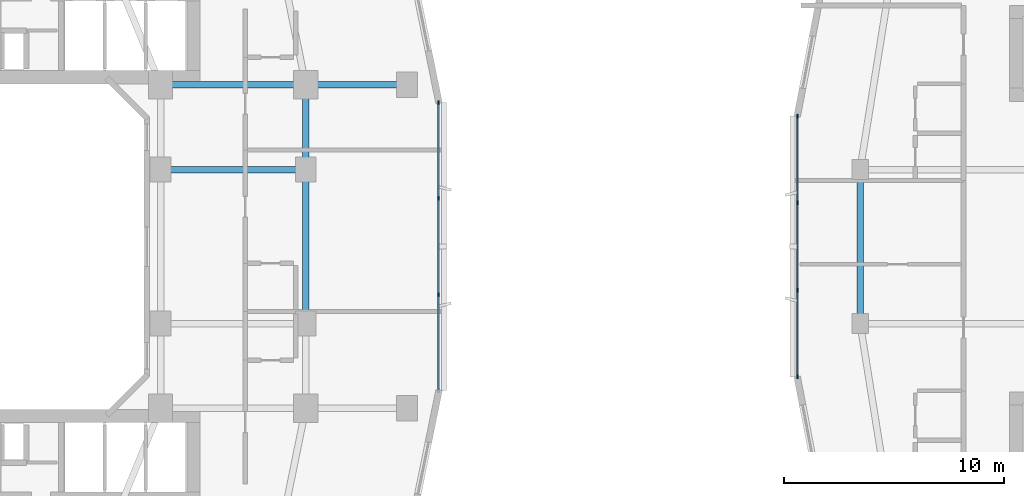
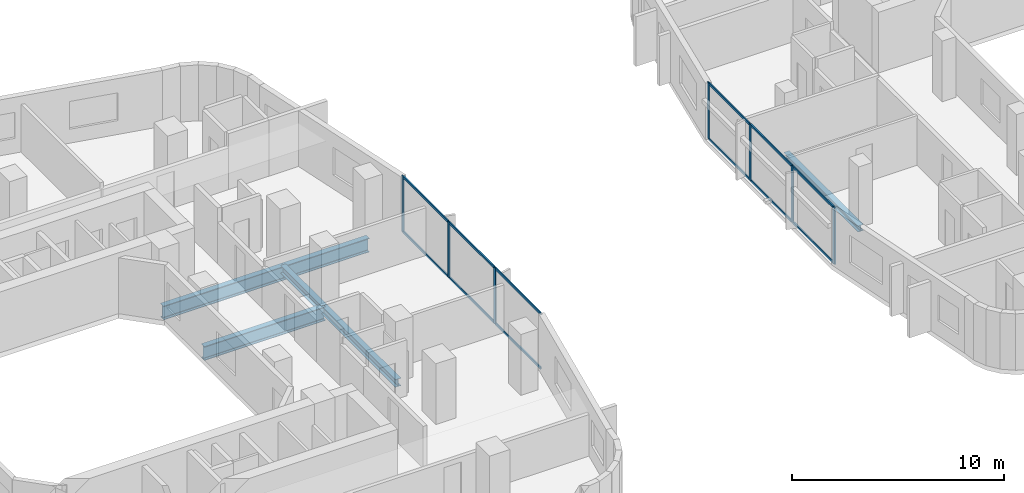
# One storey, part 5 of 26: 19 members, 6 beams, 2 elements without a shape of their own.
"""IFC4 building model written with IfcOpenShell, lengths in metres."""

from ifc_helpers import new_model, si_unit, derived_unit, direction, frame, origin, origin_2d, place, context, subcontext, project, spatial, rectangle, i_section, extrude, material, layer, layer_set, material_profile, profile_set, type_object, element, aggregate, save


model = new_model("IFC4")

# Units and contexts
model_context = context("Model", 3, precision=1e-05, world=origin(), true_north=direction((0.0, 1.0)))
body_context = subcontext(model_context, "Body", "Model", "MODEL_VIEW")
ifc_project = project(units=[si_unit("LENGTHUNIT", "METRE"), si_unit("AREAUNIT", "SQUARE_METRE"), si_unit("VOLUMEUNIT", "CUBIC_METRE"), si_unit("PLANEANGLEUNIT", "RADIAN"), si_unit("MASSUNIT", "GRAM", prefix="KILO"), derived_unit("THERMALTRANSMITTANCEUNIT", [(si_unit("POWERUNIT", "WATT"), 1), (si_unit("LENGTHUNIT", "METRE"), -2), (si_unit("THERMODYNAMICTEMPERATUREUNIT", "KELVIN"), -1)])], contexts=[model_context])

# Site, building, storey
site_placement = place(None, origin())
site = spatial("IfcSite", under=ifc_project, at=site_placement, CompositionType="ELEMENT")
building_placement = place(site_placement, origin())
building = spatial("IfcBuilding", under=site, at=building_placement, Name="Kivonza Crest Hotel", CompositionType="ELEMENT")
storey_placement = place(building_placement, frame((0.0, 0.0, 52.0)))
storey = spatial("IfcBuildingStorey", under=building, at=storey_placement, Name="L13", CompositionType="ELEMENT", Elevation=52.0)

# Beams
ifc_material_1 = material(Name="Steel S355", Category="steel")
ifc_material_profile_1 = material_profile(ifc_material_1, i_section(OverallWidth=0.300048828125, OverallDepth=0.360107421875, WebThickness=0.012451171875, FlangeThickness=0.0224609375, FilletRadius=0.027099609375, at=origin_2d()), Name="HEB 360")
ifc_profile_set_1 = profile_set([ifc_material_profile_1], Name="Steel S355")
beam_type_1 = type_object("IfcBeamType", Name="BM-HEB360", PredefinedType="SPANDREL", material=ifc_profile_set_1)
beam_1_placement = place(storey_placement, frame((61.0, 28.5, -0.429931640625), z_axis=(0.0, -1.0, 0.0), x_axis=(1.0, 0.0, 0.0)))
element("IfcBeam", 1, at=beam_1_placement, inside=storey, type_object=beam_type_1, Name="Companion Tower T2 L13 perimeter spandrel W2-W1", PredefinedType="SPANDREL", context=body_context, shape_type="SweptSolid", body=[
    extrude(i_section(OverallWidth=0.300048828125, OverallDepth=0.360107421875, WebThickness=0.012451171875, FlangeThickness=0.0224609375, FilletRadius=0.027099609375, at=origin_2d()), origin(), (0.0, 0.0, 1.0), 7.0),
])
ifc_material_profile_2 = material_profile(ifc_material_1, i_section(OverallWidth=0.300048828125, OverallDepth=0.449951171875, WebThickness=0.013916015625, FlangeThickness=0.02587890625, FilletRadius=0.027099609375, at=origin_2d()), Name="HEB 450")
ifc_profile_set_2 = profile_set([ifc_material_profile_2], Name="Steel S355")
beam_type_2 = type_object("IfcBeamType", Name="BM-HEB450", PredefinedType="SPANDREL", material=ifc_profile_set_2)
beam_2_placement = place(storey_placement, frame((35.800048828125, 21.5, -0.5048828125), z_axis=(0.0, 1.0, 0.0), x_axis=(-1.0, 0.0, 0.0)))
element("IfcBeam", 2, at=beam_2_placement, inside=storey, type_object=beam_type_2, Name="Tower T1 L13 perimeter spandrel E1-E2", PredefinedType="SPANDREL", context=body_context, shape_type="SweptSolid", body=[
    extrude(i_section(OverallWidth=0.300048828125, OverallDepth=0.449951171875, WebThickness=0.013916015625, FlangeThickness=0.02587890625, FilletRadius=0.027099609375, at=origin_2d()), origin(), (0.0, 0.0, 1.0), 7.0),
])
beam_3_placement = place(storey_placement, frame((35.800048828125, 28.5, -0.5048828125), z_axis=(0.0, 1.0, 0.0), x_axis=(-1.0, 0.0, 0.0)))
element("IfcBeam", 3, at=beam_3_placement, inside=storey, type_object=beam_type_2, Name="Tower T1 L13 perimeter spandrel E2-PNE", PredefinedType="SPANDREL", context=body_context, shape_type="SweptSolid", body=[
    extrude(i_section(OverallWidth=0.300048828125, OverallDepth=0.449951171875, WebThickness=0.013916015625, FlangeThickness=0.02587890625, FilletRadius=0.027099609375, at=origin_2d()), origin(), (0.0, 0.0, 1.0), 3.85009765625),
])
ifc_material_profile_3 = material_profile(ifc_material_1, i_section(OverallWidth=0.300048828125, OverallDepth=0.800048828125, WebThickness=0.017578125, FlangeThickness=0.032958984375, FilletRadius=0.030029296875, at=origin_2d()), Name="HEB 800")
ifc_profile_set_3 = profile_set([ifc_material_profile_3], Name="Steel S355")
beam_type_3 = type_object("IfcBeamType", Name="BM-HEB800", PredefinedType="BEAM", material=ifc_profile_set_3)
for number, where, z_axis, x_axis, name in (
    (4, (29.199951171875, 32.35009765625, -0.679931640625), (1.0, 0.0, 0.0), (0.0, 1.0, 0.0), "Tower T1 L13 primary girder TNE-PNE"),
    (5, (29.199951171875, 28.5, -0.679931640625), (1.0, 0.0, 0.0), (0.0, 1.0, 0.0), "Tower T1 L13 primary girder WR2-E2"),
):
    element("IfcBeam", number, at=place(storey_placement, frame(where, z_axis=z_axis, x_axis=x_axis)), inside=storey, type_object=beam_type_3, Name=name, PredefinedType="BEAM", context=body_context, shape_type="SweptSolid", body=[
        extrude(i_section(OverallWidth=0.300048828125, OverallDepth=0.800048828125, WebThickness=0.017578125, FlangeThickness=0.032958984375, FilletRadius=0.030029296875, at=origin_2d()), origin(), (0.0, 0.0, 1.0), 6.60009765625),
    ])
beam_4_placement = place(storey_placement, frame((40.39990234375, 32.35009765625, -0.679931640625), z_axis=(-1.0, 0.0, 0.0), x_axis=(0.0, -1.0, 0.0)))
element("IfcBeam", 6, at=beam_4_placement, inside=storey, type_object=beam_type_3, Name="Tower T1 L13 outer bay girder ZE2", PredefinedType="BEAM", context=body_context, shape_type="SweptSolid", body=[
    extrude(i_section(OverallWidth=0.300048828125, OverallDepth=0.800048828125, WebThickness=0.017578125, FlangeThickness=0.032958984375, FilletRadius=0.030029296875, at=origin_2d()), origin(), (0.0, 0.0, 1.0), 4.599853515625),
])

# Curtain wall, members
ifc_material_2 = material(Name="Anodised bronze aluminium and low-E double glazing", Category="aluminium")
ifc_layer_1 = layer(ifc_material_2, 0.179931640625)
ifc_layer_set_1 = layer_set([ifc_layer_1], Name="Anodised bronze aluminium and low-E double glazing")
curtain_wall_type_1 = type_object("IfcCurtainWallType", Name="CW-SYS-2", PredefinedType="NOTDEFINED", material=ifc_layer_set_1)
curtain_wall_1_placement = place(storey_placement, origin())
curtain_wall_1 = element("IfcCurtainWall", 7, at=curtain_wall_1_placement, inside=storey, type_object=curtain_wall_type_1, Name="L13 unitised curtain wall CW-T1-L13-17", PredefinedType="NOTDEFINED")
ifc_material_3 = material(Name="Anodised bronze aluminium", Category="aluminium")
ifc_material_profile_4 = material_profile(ifc_material_3, rectangle(XDim=0.06494140625, YDim=0.179931640625, at=origin_2d()), Name="CW-M 65x180")
ifc_profile_set_4 = profile_set([ifc_material_profile_4], Name="Anodised bronze aluminium")
member_type_1 = type_object("IfcMemberType", Name="CW-MUL-65x180", PredefinedType="MULLION", material=ifc_profile_set_4)
member_1_placement = place(storey_placement, frame((41.840087890625, 22.813232421875, 0.0), z_axis=(0.0, 0.0, 1.0), x_axis=(-1.0, 0.0, 0.0)))
member_1 = element("IfcMember", 8, at=member_1_placement, type_object=member_type_1, Name="CW-2 mullion 2", PredefinedType="MULLION", context=body_context, shape_type="SweptSolid", body=[
    extrude(rectangle(XDim=0.06494140625, YDim=0.179931640625, at=origin_2d()), origin(), (0.0, 0.0, 1.0), 3.219970703125),
])
member_2_placement = place(storey_placement, frame((41.840087890625, 27.186767578125, 0.0), z_axis=(0.0, 0.0, 1.0), x_axis=(-1.0, 0.0, 0.0)))
member_2 = element("IfcMember", 9, at=member_2_placement, type_object=member_type_1, Name="CW-2 mullion 3", PredefinedType="MULLION", context=body_context, shape_type="SweptSolid", body=[
    extrude(rectangle(XDim=0.06494140625, YDim=0.179931640625, at=origin_2d()), origin(), (0.0, 0.0, 1.0), 3.219970703125),
])
member_3_placement = place(storey_placement, frame((41.840087890625, 31.527587890625, 0.0), z_axis=(0.0, 0.0, 1.0), x_axis=(-1.0, 0.0, 0.0)))
member_3 = element("IfcMember", 10, at=member_3_placement, type_object=member_type_1, Name="CW-2 mullion 4", PredefinedType="MULLION", context=body_context, shape_type="SweptSolid", body=[
    extrude(rectangle(XDim=0.06494140625, YDim=0.179931640625, at=origin_2d()), origin(), (0.0, 0.0, 1.0), 3.219970703125),
])

ifc_layer_2 = layer(ifc_material_2, 0.179931640625)
ifc_layer_set_2 = layer_set([ifc_layer_2], Name="Anodised bronze aluminium and low-E double glazing")
curtain_wall_type_2 = type_object("IfcCurtainWallType", Name="CW-SYS-4", PredefinedType="NOTDEFINED", material=ifc_layer_set_2)
curtain_wall_2_placement = place(storey_placement, origin())
curtain_wall_2 = element("IfcCurtainWall", 11, at=curtain_wall_2_placement, inside=storey, type_object=curtain_wall_type_2, Name="L13 unitised curtain wall CW-T2-L13-35", PredefinedType="NOTDEFINED")
member_4_placement = place(storey_placement, frame((58.159912109375, 30.927490234375, 0.0), z_axis=(0.0, 0.0, 1.0), x_axis=(1.0, 0.0, 0.0)))
member_4 = element("IfcMember", 12, at=member_4_placement, type_object=member_type_1, Name="CW-4 mullion 1", PredefinedType="MULLION", context=body_context, shape_type="SweptSolid", body=[
    extrude(rectangle(XDim=0.06494140625, YDim=0.179931640625, at=origin_2d()), origin(), (0.0, 0.0, 1.0), 3.25),
])
member_5_placement = place(storey_placement, frame((58.159912109375, 26.986572265625, 0.0), z_axis=(0.0, 0.0, 1.0), x_axis=(1.0, 0.0, 0.0)))
member_5 = element("IfcMember", 13, at=member_5_placement, type_object=member_type_1, Name="CW-4 mullion 2", PredefinedType="MULLION", context=body_context, shape_type="SweptSolid", body=[
    extrude(rectangle(XDim=0.06494140625, YDim=0.179931640625, at=origin_2d()), origin(), (0.0, 0.0, 1.0), 3.25),
])
member_6_placement = place(storey_placement, frame((58.159912109375, 23.013427734375, 0.0), z_axis=(0.0, 0.0, 1.0), x_axis=(1.0, 0.0, 0.0)))
member_6 = element("IfcMember", 14, at=member_6_placement, type_object=member_type_1, Name="CW-4 mullion 3", PredefinedType="MULLION", context=body_context, shape_type="SweptSolid", body=[
    extrude(rectangle(XDim=0.06494140625, YDim=0.179931640625, at=origin_2d()), origin(), (0.0, 0.0, 1.0), 3.25),
])
member_7_placement = place(storey_placement, frame((58.159912109375, 19.072509765625, 0.0), z_axis=(0.0, 0.0, 1.0), x_axis=(1.0, 0.0, 0.0)))
member_7 = element("IfcMember", 15, at=member_7_placement, type_object=member_type_1, Name="CW-4 mullion 4", PredefinedType="MULLION", context=body_context, shape_type="SweptSolid", body=[
    extrude(rectangle(XDim=0.06494140625, YDim=0.179931640625, at=origin_2d()), origin(), (0.0, 0.0, 1.0), 3.25),
])

# Member
ifc_material_profile_5 = material_profile(ifc_material_3, rectangle(XDim=0.06494140625, YDim=0.139892578125, at=origin_2d()), Name="CW-T 65x140")
ifc_profile_set_5 = profile_set([ifc_material_profile_5], Name="Anodised bronze aluminium")
member_type_2 = type_object("IfcMemberType", Name="CW-TRN-65x140", PredefinedType="USERDEFINED", material=ifc_profile_set_5)
member_8_placement = place(storey_placement, frame((41.840087890625, 18.5048828125, 0.032470703125), z_axis=(0.0, 1.0, 0.0), x_axis=(-1.0, 0.0, 0.0)))
member_8 = element("IfcMember", 16, at=member_8_placement, type_object=member_type_2, Name="CW-2 transom 1.1", ObjectType="TRANSOM", PredefinedType="USERDEFINED", context=body_context, shape_type="SweptSolid", body=[
    extrude(rectangle(XDim=0.06494140625, YDim=0.139892578125, at=origin_2d()), origin(), (0.0, 0.0, 1.0), 4.27587890625),
])

member_9_placement = place(storey_placement, frame((41.840087890625, 18.5048828125, 3.1875), z_axis=(0.0, 1.0, 0.0), x_axis=(-1.0, 0.0, 0.0)))
member_9 = element("IfcMember", 17, at=member_9_placement, type_object=member_type_2, Name="CW-2 transom 1.2", ObjectType="TRANSOM", PredefinedType="USERDEFINED", context=body_context, shape_type="SweptSolid", body=[
    extrude(rectangle(XDim=0.06494140625, YDim=0.139892578125, at=origin_2d()), origin(), (0.0, 0.0, 1.0), 4.27587890625),
])

member_10_placement = place(storey_placement, frame((41.840087890625, 22.845947265625, 0.032470703125), z_axis=(0.0, 1.0, 0.0), x_axis=(-1.0, 0.0, 0.0)))
member_10 = element("IfcMember", 18, at=member_10_placement, type_object=member_type_2, Name="CW-2 transom 2.1", ObjectType="TRANSOM", PredefinedType="USERDEFINED", context=body_context, shape_type="SweptSolid", body=[
    extrude(rectangle(XDim=0.06494140625, YDim=0.139892578125, at=origin_2d()), origin(), (0.0, 0.0, 1.0), 4.30810546875),
])

member_11_placement = place(storey_placement, frame((41.840087890625, 22.845947265625, 3.1875), z_axis=(0.0, 1.0, 0.0), x_axis=(-1.0, 0.0, 0.0)))
member_11 = element("IfcMember", 19, at=member_11_placement, type_object=member_type_2, Name="CW-2 transom 2.2", ObjectType="TRANSOM", PredefinedType="USERDEFINED", context=body_context, shape_type="SweptSolid", body=[
    extrude(rectangle(XDim=0.06494140625, YDim=0.139892578125, at=origin_2d()), origin(), (0.0, 0.0, 1.0), 4.30810546875),
])

member_12_placement = place(storey_placement, frame((41.840087890625, 27.21923828125, 0.032470703125), z_axis=(0.0, 1.0, 0.0), x_axis=(-1.0, 0.0, 0.0)))
member_12 = element("IfcMember", 20, at=member_12_placement, type_object=member_type_2, Name="CW-2 transom 3.1", ObjectType="TRANSOM", PredefinedType="USERDEFINED", context=body_context, shape_type="SweptSolid", body=[
    extrude(rectangle(XDim=0.06494140625, YDim=0.139892578125, at=origin_2d()), origin(), (0.0, 0.0, 1.0), 4.27587890625),
])

member_13_placement = place(storey_placement, frame((41.840087890625, 27.21923828125, 3.1875), z_axis=(0.0, 1.0, 0.0), x_axis=(-1.0, 0.0, 0.0)))
member_13 = element("IfcMember", 21, at=member_13_placement, type_object=member_type_2, Name="CW-2 transom 3.2", ObjectType="TRANSOM", PredefinedType="USERDEFINED", context=body_context, shape_type="SweptSolid", body=[
    extrude(rectangle(XDim=0.06494140625, YDim=0.139892578125, at=origin_2d()), origin(), (0.0, 0.0, 1.0), 4.27587890625),
])

aggregate(curtain_wall_1, [member_1, member_2, member_3, member_8, member_9, member_10, member_11, member_12, member_13])

member_14_placement = place(storey_placement, frame((58.159912109375, 30.89501953125, 0.032470703125), z_axis=(0.0, -1.0, 0.0), x_axis=(1.0, 0.0, 0.0)))
member_14 = element("IfcMember", 22, at=member_14_placement, type_object=member_type_2, Name="CW-4 transom 1.1", ObjectType="TRANSOM", PredefinedType="USERDEFINED", context=body_context, shape_type="SweptSolid", body=[
    extrude(rectangle(XDim=0.06494140625, YDim=0.139892578125, at=origin_2d()), origin(), (0.0, 0.0, 1.0), 3.875732421875),
])

member_15_placement = place(storey_placement, frame((58.159912109375, 30.89501953125, 3.217529296875), z_axis=(0.0, -1.0, 0.0), x_axis=(1.0, 0.0, 0.0)))
member_15 = element("IfcMember", 23, at=member_15_placement, type_object=member_type_2, Name="CW-4 transom 1.2", ObjectType="TRANSOM", PredefinedType="USERDEFINED", context=body_context, shape_type="SweptSolid", body=[
    extrude(rectangle(XDim=0.06494140625, YDim=0.139892578125, at=origin_2d()), origin(), (0.0, 0.0, 1.0), 3.875732421875),
])

member_16_placement = place(storey_placement, frame((58.159912109375, 26.9541015625, 0.032470703125), z_axis=(0.0, -1.0, 0.0), x_axis=(1.0, 0.0, 0.0)))
member_16 = element("IfcMember", 24, at=member_16_placement, type_object=member_type_2, Name="CW-4 transom 2.1", ObjectType="TRANSOM", PredefinedType="USERDEFINED", context=body_context, shape_type="SweptSolid", body=[
    extrude(rectangle(XDim=0.06494140625, YDim=0.139892578125, at=origin_2d()), origin(), (0.0, 0.0, 1.0), 3.908203125),
])

member_17_placement = place(storey_placement, frame((58.159912109375, 26.9541015625, 3.217529296875), z_axis=(0.0, -1.0, 0.0), x_axis=(1.0, 0.0, 0.0)))
member_17 = element("IfcMember", 25, at=member_17_placement, type_object=member_type_2, Name="CW-4 transom 2.2", ObjectType="TRANSOM", PredefinedType="USERDEFINED", context=body_context, shape_type="SweptSolid", body=[
    extrude(rectangle(XDim=0.06494140625, YDim=0.139892578125, at=origin_2d()), origin(), (0.0, 0.0, 1.0), 3.908203125),
])

member_18_placement = place(storey_placement, frame((58.159912109375, 22.980712890625, 0.032470703125), z_axis=(0.0, -1.0, 0.0), x_axis=(1.0, 0.0, 0.0)))
member_18 = element("IfcMember", 26, at=member_18_placement, type_object=member_type_2, Name="CW-4 transom 3.1", ObjectType="TRANSOM", PredefinedType="USERDEFINED", context=body_context, shape_type="SweptSolid", body=[
    extrude(rectangle(XDim=0.06494140625, YDim=0.139892578125, at=origin_2d()), origin(), (0.0, 0.0, 1.0), 3.875732421875),
])

member_19_placement = place(storey_placement, frame((58.159912109375, 22.980712890625, 3.217529296875), z_axis=(0.0, -1.0, 0.0), x_axis=(1.0, 0.0, 0.0)))
member_19 = element("IfcMember", 27, at=member_19_placement, type_object=member_type_2, Name="CW-4 transom 3.2", ObjectType="TRANSOM", PredefinedType="USERDEFINED", context=body_context, shape_type="SweptSolid", body=[
    extrude(rectangle(XDim=0.06494140625, YDim=0.139892578125, at=origin_2d()), origin(), (0.0, 0.0, 1.0), 3.875732421875),
])

aggregate(curtain_wall_2, [member_4, member_5, member_6, member_7, member_14, member_15, member_16, member_17, member_18, member_19])

save(model, "model.ifc")
